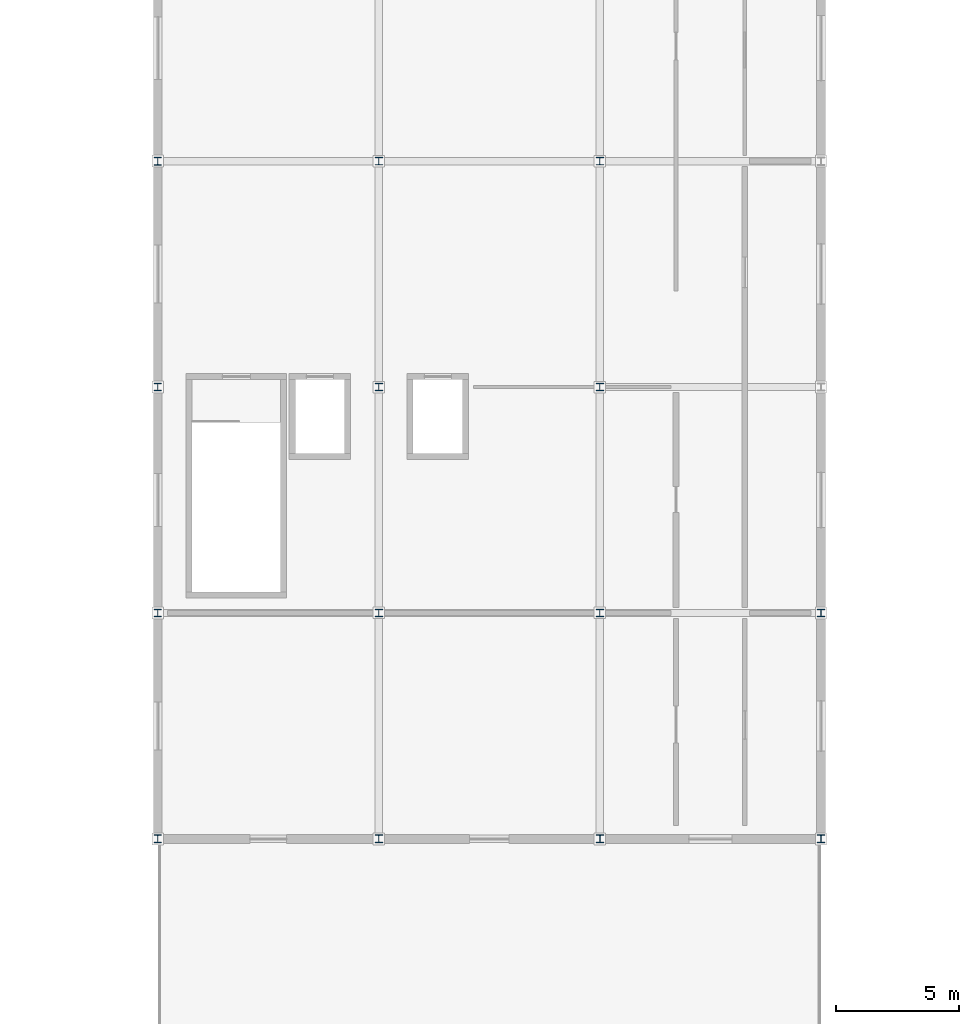
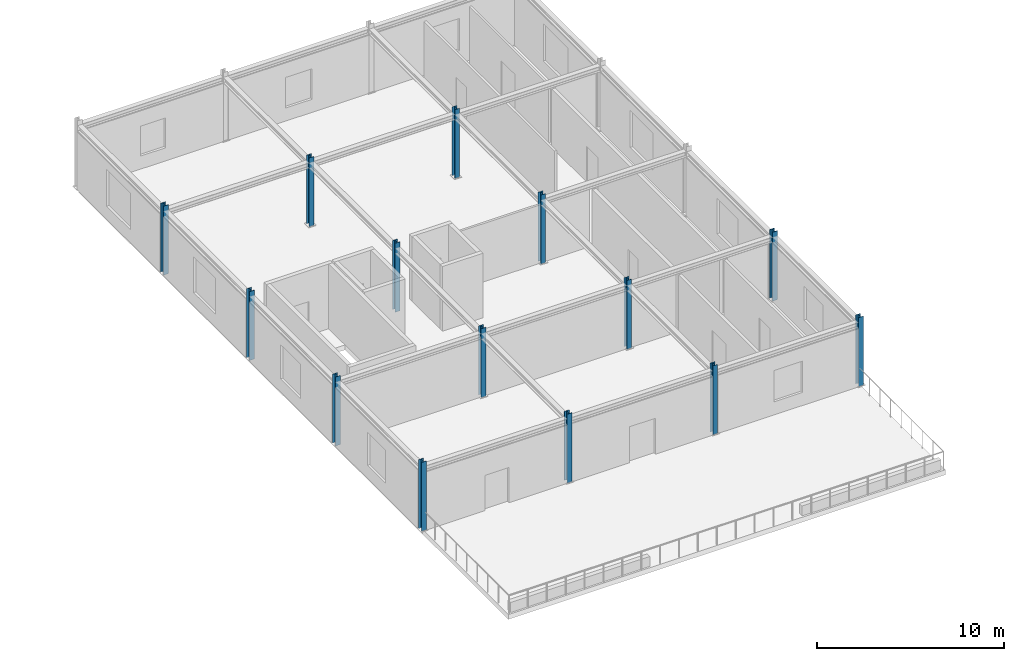
# One storey, part 2 of 33: 14 columns.
"""IFC4 building model written with IfcOpenShell, lengths in metres."""

from ifc_helpers import new_model, si_unit, direction, frame, origin, origin_2d, place, context, subcontext, project, spatial, i_section, extrude, material, material_profile, profile_set, type_object, element, save


model = new_model("IFC4")

# Units and contexts
model_context = context("Model", 3, precision=1e-05, world=origin(), true_north=direction((0.0, 1.0)))
body_context = subcontext(model_context, "Body", "Model", "MODEL_VIEW")
ifc_project = project(units=[si_unit("LENGTHUNIT", "METRE"), si_unit("AREAUNIT", "SQUARE_METRE"), si_unit("VOLUMEUNIT", "CUBIC_METRE"), si_unit("PLANEANGLEUNIT", "RADIAN"), si_unit("MASSUNIT", "GRAM", prefix="KILO")], contexts=[model_context])

# Site, building, storey
site_placement = place(None, origin())
site = spatial("IfcSite", under=ifc_project, at=site_placement, CompositionType="ELEMENT")
building_placement = place(site_placement, origin())
building = spatial("IfcBuilding", under=site, at=building_placement, Name="Bozkorgan Art Gallery", CompositionType="ELEMENT")
storey_placement = place(building_placement, frame((0.0, 0.0, 19.5)))
storey = spatial("IfcBuildingStorey", under=building, at=storey_placement, Name="L04", CompositionType="ELEMENT", Elevation=19.5)

# Columns
ifc_material = material(Name="Steel S355J2", Category="steel")
ifc_material_profile_1 = material_profile(ifc_material, i_section(OverallWidth=0.300048828125, OverallDepth=0.320068359375, WebThickness=0.011474609375, FlangeThickness=0.0205078125, FilletRadius=0.027099609375, at=origin_2d()), Name="HEB 320")
ifc_profile_set_1 = profile_set([ifc_material_profile_1], Name="Steel S355J2")
column_type_1 = type_object("IfcColumnType", Name="COLUMN-C-96", PredefinedType="COLUMN", material=ifc_profile_set_1)
for number, where, z_axis, x_axis, name in (
    (1, (74.0, 47.60009765625, 0.0), (0.0, 0.0, 1.0), (1.0, 0.0, 0.0), "V4 L04 column (74.0, 47.6)"),
    (2, (74.0, 56.800048828125, 0.0), (0.0, 0.0, 1.0), (1.0, 0.0, 0.0), "V4 L04 column (74.0, 56.8)"),
    (3, (74.0, 66.0, 0.0), (0.0, 0.0, 1.0), (1.0, 0.0, 0.0), "V4 L04 column (74.0, 66.0)"),
    (4, (74.0, 75.199951171875, 0.0), (0.0, 0.0, 1.0), (1.0, 0.0, 0.0), "V4 L04 column (74.0, 75.2)"),
    (5, (83.0, 47.60009765625, 0.0), (0.0, 0.0, 1.0), (1.0, 0.0, 0.0), "V4 L04 column (83.0, 47.6)"),
    (6, (92.0, 47.60009765625, 0.0), (0.0, 0.0, 1.0), (1.0, 0.0, 0.0), "V4 L04 column (92.0, 47.6)"),
    (7, (101.0, 47.60009765625, 0.0), (0.0, 0.0, 1.0), (1.0, 0.0, 0.0), "V4 L04 column (101.0, 47.6)"),
    (8, (101.0, 56.800048828125, 0.0), (0.0, 0.0, 1.0), (1.0, 0.0, 0.0), "V4 L04 column (101.0, 56.8)"),
):
    element("IfcColumn", number, at=place(storey_placement, frame(where, z_axis=z_axis, x_axis=x_axis)), inside=storey, type_object=column_type_1, Name=name, PredefinedType="COLUMN", context=body_context, shape_type="SweptSolid", body=[
        extrude(i_section(OverallWidth=0.300048828125, OverallDepth=0.320068359375, WebThickness=0.011474609375, FlangeThickness=0.0205078125, FilletRadius=0.027099609375, at=origin_2d()), origin(), (0.0, 0.0, 1.0), 4.5),
    ])
ifc_material_profile_2 = material_profile(ifc_material, i_section(OverallWidth=0.300048828125, OverallDepth=0.31005859375, WebThickness=0.009033203125, FlangeThickness=0.015380859375, FilletRadius=0.027099609375, at=origin_2d()), Name="HEA 320")
ifc_profile_set_2 = profile_set([ifc_material_profile_2], Name="Steel S355J2")
column_type_2 = type_object("IfcColumnType", Name="COLUMN-C-99", PredefinedType="COLUMN", material=ifc_profile_set_2)
for number, where, z_axis, x_axis, name in (
    (9, (83.0, 56.800048828125, 0.0), (0.0, 0.0, 1.0), (1.0, 0.0, 0.0), "V4 L04 column (83.0, 56.8)"),
    (10, (83.0, 66.0, 0.0), (0.0, 0.0, 1.0), (1.0, 0.0, 0.0), "V4 L04 column (83.0, 66.0)"),
    (11, (83.0, 75.199951171875, 0.0), (0.0, 0.0, 1.0), (1.0, 0.0, 0.0), "V4 L04 column (83.0, 75.2)"),
    (12, (92.0, 56.800048828125, 0.0), (0.0, 0.0, 1.0), (1.0, 0.0, 0.0), "V4 L04 column (92.0, 56.8)"),
    (13, (92.0, 66.0, 0.0), (0.0, 0.0, 1.0), (1.0, 0.0, 0.0), "V4 L04 column (92.0, 66.0)"),
    (14, (92.0, 75.199951171875, 0.0), (0.0, 0.0, 1.0), (1.0, 0.0, 0.0), "V4 L04 column (92.0, 75.2)"),
):
    element("IfcColumn", number, at=place(storey_placement, frame(where, z_axis=z_axis, x_axis=x_axis)), inside=storey, type_object=column_type_2, Name=name, PredefinedType="COLUMN", context=body_context, shape_type="SweptSolid", body=[
        extrude(i_section(OverallWidth=0.300048828125, OverallDepth=0.31005859375, WebThickness=0.009033203125, FlangeThickness=0.015380859375, FilletRadius=0.027099609375, at=origin_2d()), origin(), (0.0, 0.0, 1.0), 4.5),
    ])

save(model, "model.ifc")
